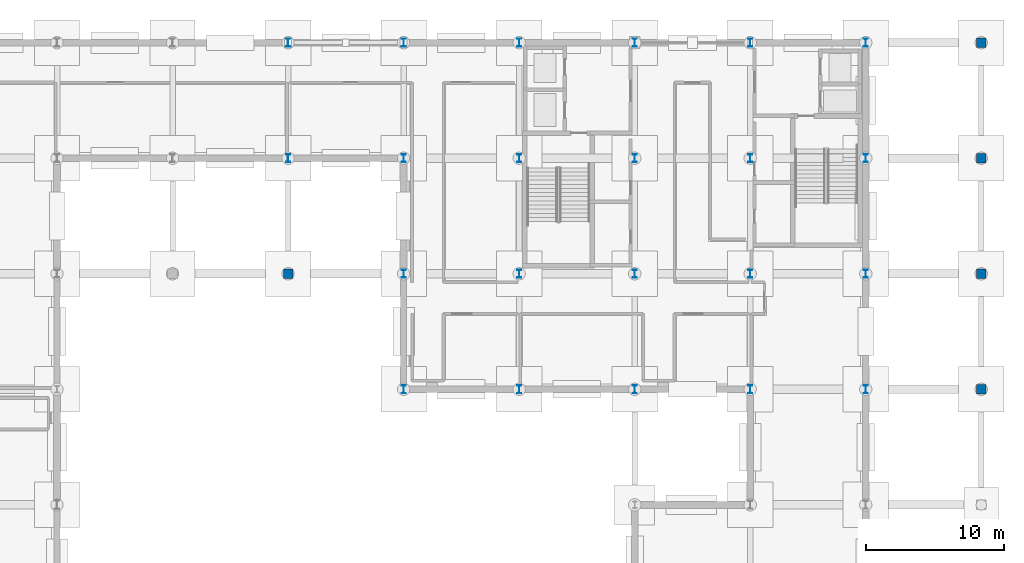
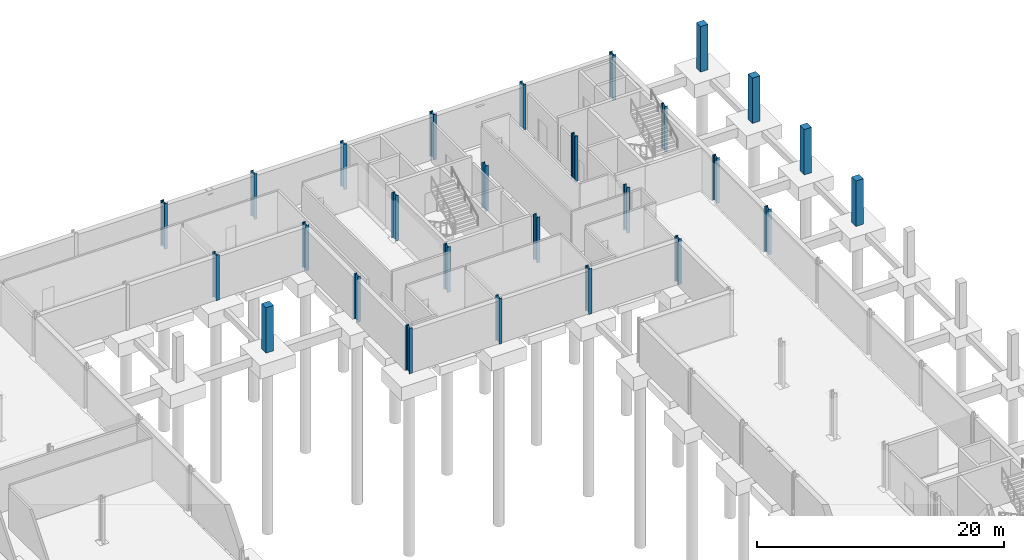
# One storey, part 22 of 43: 27 columns.
"""IFC4 building model written with IfcOpenShell, lengths in metres."""

from ifc_helpers import new_model, si_unit, direction, frame, origin, origin_2d, place, context, subcontext, project, spatial, rectangle, i_section, extrude, material, material_profile, profile_set, type_object, element, save


model = new_model("IFC4")

# Units and contexts
model_context = context("Model", 3, precision=1e-05, world=origin(), true_north=direction((0.0, 1.0)))
body_context = subcontext(model_context, "Body", "Model", "MODEL_VIEW")
ifc_project = project(units=[si_unit("LENGTHUNIT", "METRE"), si_unit("AREAUNIT", "SQUARE_METRE"), si_unit("VOLUMEUNIT", "CUBIC_METRE"), si_unit("PLANEANGLEUNIT", "RADIAN"), si_unit("MASSUNIT", "GRAM", prefix="KILO")], contexts=[model_context])

# Site, building, storey
site_placement = place(None, origin())
site = spatial("IfcSite", under=ifc_project, at=site_placement, CompositionType="ELEMENT")
building_placement = place(site_placement, origin())
building = spatial("IfcBuilding", under=site, at=building_placement, Name="Mersafa Astral City Hall", CompositionType="ELEMENT")
storey_placement = place(building_placement, frame((0.0, 0.0, -4.5)))
storey = spatial("IfcBuildingStorey", under=building, at=storey_placement, Name="B1", CompositionType="ELEMENT", Elevation=-4.5)

# Columns
ifc_material_1 = material(Name="Steel S355", Category="steel")
ifc_material_profile_1 = material_profile(ifc_material_1, i_section(OverallWidth=0.300048828125, OverallDepth=0.60009765625, WebThickness=0.015380859375, FlangeThickness=0.030029296875, FilletRadius=0.027099609375, at=origin_2d()), Name="HEB 600")
ifc_profile_set_1 = profile_set([ifc_material_profile_1], Name="Steel S355")
column_type_1 = type_object("IfcColumnType", Name="STR-COL-HEB600", PredefinedType="COLUMN", material=ifc_profile_set_1)
for number, where, z_axis, x_axis, name in (
    (1, (134.39990234375, 117.60009765625, 0.0), (0.0, 0.0, 1.0), (1.0, 0.0, 0.0), "B1 Structural column G-16-14"),
    (2, (134.39990234375, 126.0, 0.0), (0.0, 0.0, 1.0), (1.0, 0.0, 0.0), "B1 Structural column G-16-15"),
    (3, (142.800048828125, 100.800048828125, 0.0), (0.0, 0.0, 1.0), (1.0, 0.0, 0.0), "B1 Structural column G-17-12"),
    (4, (142.800048828125, 109.199951171875, 0.0), (0.0, 0.0, 1.0), (1.0, 0.0, 0.0), "B1 Structural column G-17-13"),
    (5, (142.800048828125, 117.60009765625, 0.0), (0.0, 0.0, 1.0), (1.0, 0.0, 0.0), "B1 Structural column G-17-14"),
    (6, (142.800048828125, 126.0, 0.0), (0.0, 0.0, 1.0), (1.0, 0.0, 0.0), "B1 Structural column G-17-15"),
    (7, (151.199951171875, 100.800048828125, 0.0), (0.0, 0.0, 1.0), (1.0, 0.0, 0.0), "B1 Structural column G-18-12"),
    (8, (151.199951171875, 109.199951171875, 0.0), (0.0, 0.0, 1.0), (1.0, 0.0, 0.0), "B1 Structural column G-18-13"),
    (9, (151.199951171875, 117.60009765625, 0.0), (0.0, 0.0, 1.0), (1.0, 0.0, 0.0), "B1 Structural column G-18-14"),
    (10, (151.199951171875, 126.0, 0.0), (0.0, 0.0, 1.0), (1.0, 0.0, 0.0), "B1 Structural column G-18-15"),
    (11, (159.60009765625, 100.800048828125, 0.0), (0.0, 0.0, 1.0), (1.0, 0.0, 0.0), "B1 Structural column G-19-12"),
    (12, (159.60009765625, 109.199951171875, 0.0), (0.0, 0.0, 1.0), (1.0, 0.0, 0.0), "B1 Structural column G-19-13"),
    (13, (159.60009765625, 117.60009765625, 0.0), (0.0, 0.0, 1.0), (1.0, 0.0, 0.0), "B1 Structural column G-19-14"),
    (14, (159.60009765625, 126.0, 0.0), (0.0, 0.0, 1.0), (1.0, 0.0, 0.0), "B1 Structural column G-19-15"),
    (15, (168.0, 100.800048828125, 0.0), (0.0, 0.0, 1.0), (1.0, 0.0, 0.0), "B1 Structural column G-20-12"),
    (16, (168.0, 109.199951171875, 0.0), (0.0, 0.0, 1.0), (1.0, 0.0, 0.0), "B1 Structural column G-20-13"),
    (17, (168.0, 117.60009765625, 0.0), (0.0, 0.0, 1.0), (1.0, 0.0, 0.0), "B1 Structural column G-20-14"),
    (18, (168.0, 126.0, 0.0), (0.0, 0.0, 1.0), (1.0, 0.0, 0.0), "B1 Structural column G-20-15"),
    (19, (176.39990234375, 100.800048828125, 0.0), (0.0, 0.0, 1.0), (1.0, 0.0, 0.0), "B1 Structural column G-21-12"),
    (20, (176.39990234375, 109.199951171875, 0.0), (0.0, 0.0, 1.0), (1.0, 0.0, 0.0), "B1 Structural column G-21-13"),
    (21, (176.39990234375, 117.60009765625, 0.0), (0.0, 0.0, 1.0), (1.0, 0.0, 0.0), "B1 Structural column G-21-14"),
    (22, (176.39990234375, 126.0, 0.0), (0.0, 0.0, 1.0), (1.0, 0.0, 0.0), "B1 Structural column G-21-15"),
):
    element("IfcColumn", number, at=place(storey_placement, frame(where, z_axis=z_axis, x_axis=x_axis)), inside=storey, type_object=column_type_1, Name=name, PredefinedType="COLUMN", context=body_context, shape_type="SweptSolid", body=[
        extrude(i_section(OverallWidth=0.300048828125, OverallDepth=0.60009765625, WebThickness=0.015380859375, FlangeThickness=0.030029296875, FilletRadius=0.027099609375, at=origin_2d()), origin(), (0.0, 0.0, 1.0), 4.5),
    ])
ifc_material_2 = material(Name="Concrete C40/50", Category="concrete")
ifc_material_profile_2 = material_profile(ifc_material_2, rectangle(XDim=0.699951171875, YDim=0.699951171875, at=origin_2d()), Name="RC 700x700")
ifc_profile_set_2 = profile_set([ifc_material_profile_2], Name="Concrete C40/50")
column_type_2 = type_object("IfcColumnType", Name="STR-COL-RC700", PredefinedType="COLUMN", material=ifc_profile_set_2)
for number, where, z_axis, x_axis, name in (
    (23, (134.39990234375, 109.199951171875, 0.0), (0.0, 0.0, 1.0), (1.0, 0.0, 0.0), "B1 Structural column G-16-13"),
    (24, (184.800048828125, 100.800048828125, 0.0), (0.0, 0.0, 1.0), (1.0, 0.0, 0.0), "B1 Structural column G-22-12"),
    (25, (184.800048828125, 109.199951171875, 0.0), (0.0, 0.0, 1.0), (1.0, 0.0, 0.0), "B1 Structural column G-22-13"),
    (26, (184.800048828125, 117.60009765625, 0.0), (0.0, 0.0, 1.0), (1.0, 0.0, 0.0), "B1 Structural column G-22-14"),
    (27, (184.800048828125, 126.0, 0.0), (0.0, 0.0, 1.0), (1.0, 0.0, 0.0), "B1 Structural column G-22-15"),
):
    element("IfcColumn", number, at=place(storey_placement, frame(where, z_axis=z_axis, x_axis=x_axis)), inside=storey, type_object=column_type_2, Name=name, PredefinedType="COLUMN", context=body_context, shape_type="SweptSolid", body=[
        extrude(rectangle(XDim=0.699951171875, YDim=0.699951171875, at=origin_2d()), origin(), (0.0, 0.0, 1.0), 4.5),
    ])

save(model, "model.ifc")
